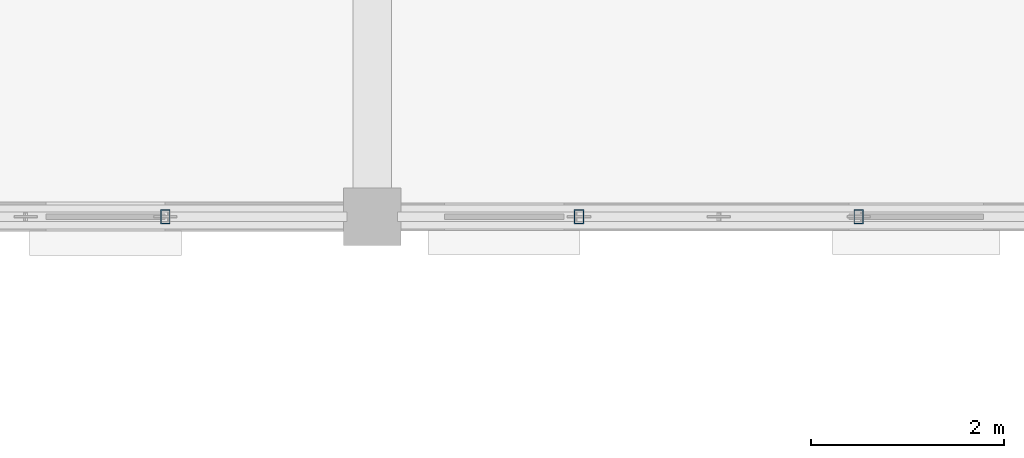
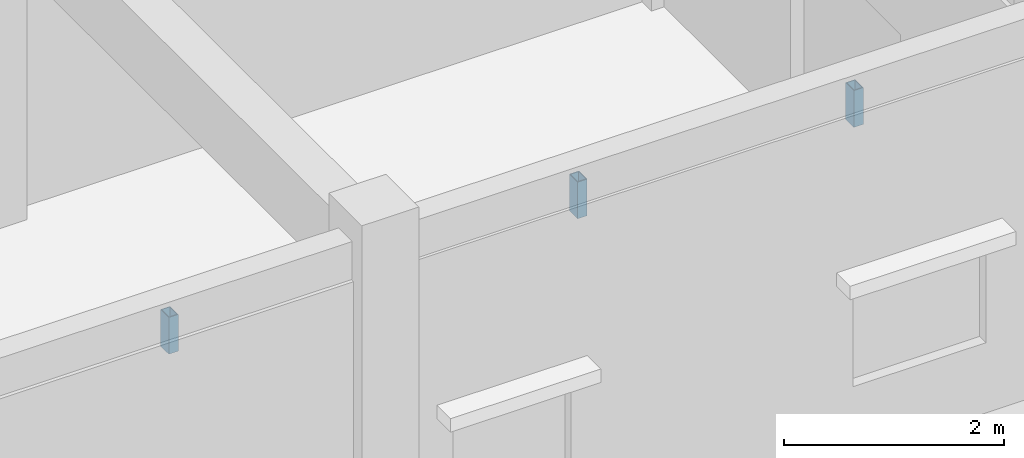
# One storey, part 31 of 138: 3 members.
"""IFC4 building model written with IfcOpenShell, lengths in metres."""

from ifc_helpers import new_model, si_unit, direction, frame, origin, origin_2d, place, context, subcontext, project, spatial, hollow_rectangle, extrude, material, material_profile, profile_set, type_object, element, save


model = new_model("IFC4")

# Units and contexts
model_context = context("Model", 3, precision=1e-05, world=origin(), true_north=direction((0.0, 1.0)))
body_context = subcontext(model_context, "Body", "Model", "MODEL_VIEW")
ifc_project = project(units=[si_unit("LENGTHUNIT", "METRE"), si_unit("AREAUNIT", "SQUARE_METRE"), si_unit("VOLUMEUNIT", "CUBIC_METRE"), si_unit("PLANEANGLEUNIT", "RADIAN"), si_unit("MASSUNIT", "GRAM", prefix="KILO"), si_unit("THERMODYNAMICTEMPERATUREUNIT", "KELVIN"), si_unit("POWERUNIT", "WATT")], contexts=[model_context])

# Site, building, storey
site_placement = place(None, origin())
site = spatial("IfcSite", under=ifc_project, at=site_placement, CompositionType="ELEMENT")
building_placement = place(site_placement, origin())
building = spatial("IfcBuilding", under=site, at=building_placement, Name="Tavuni Mirador Residences", CompositionType="ELEMENT")
storey_placement = place(building_placement, origin())
storey = spatial("IfcBuildingStorey", under=building, at=storey_placement, Name="L00", CompositionType="ELEMENT", Elevation=0.0)

# Members
ifc_material = material(Name="Structural steel S355", Category="steel")
ifc_material_profile = material_profile(ifc_material, hollow_rectangle(XDim=0.10009765625, YDim=0.14990234375, WallThickness=0.008056640625, at=origin_2d()), Name="RHS 150x100x8.0", Category="steel")
ifc_profile_set = profile_set([ifc_material_profile], Name="Structural steel S355")
member_type = type_object("IfcMemberType", Name="MT-BR-RHS150", PredefinedType="BRACE", material=ifc_profile_set)
for number, where, z_axis, x_axis, name in (
    (1, (23.052001953125, 7.199951171875, 3.601318359375), (0.0, 0.0, 1.0), (1.0, 0.0, 0.0), "ARCH-BLKA-S-02-V2"),
    (2, (27.347900390625, 7.199951171875, 3.601318359375), (0.0, 0.0, 1.0), (1.0, 0.0, 0.0), "ARCH-BLKA-S-03-V1"),
    (3, (30.251953125, 7.199951171875, 3.601318359375), (0.0, 0.0, 1.0), (1.0, 0.0, 0.0), "ARCH-BLKA-S-03-V2"),
):
    element("IfcMember", number, at=place(storey_placement, frame(where, z_axis=z_axis, x_axis=x_axis)), inside=storey, type_object=member_type, Name=name, PredefinedType="BRACE", context=body_context, shape_type="SweptSolid", body=[
        extrude(hollow_rectangle(XDim=0.10009765625, YDim=0.14990234375, WallThickness=0.008056640625, at=origin_2d()), origin(), (0.0, 0.0, 1.0), 0.40869140625),
    ])

save(model, "model.ifc")
